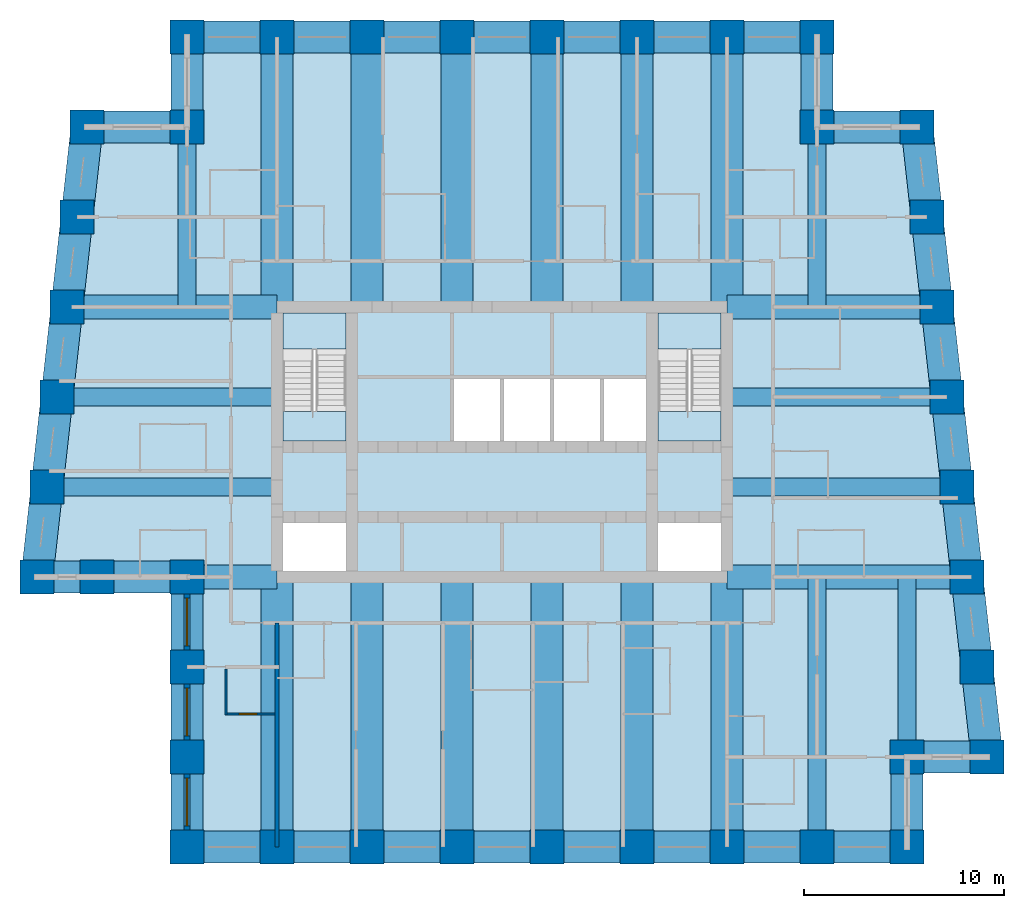
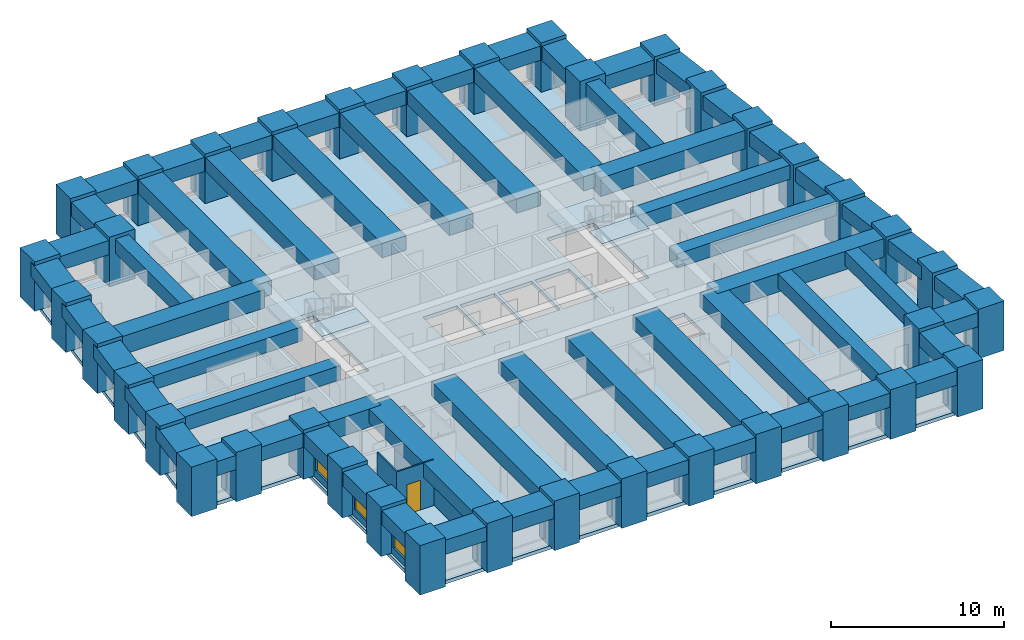
# One storey, part 1 of 8: 62 beams, 38 columns, 5 slabs, 4 walls, 3 windows, 1 door, 4 openings, 2 elements without a shape of their own.
"""IFC4 building model written with IfcOpenShell, lengths in metres."""

from ifc_helpers import new_model, si_unit, direction, frame, frame_2d, origin, origin_2d, place, context, subcontext, project, spatial, polyline, rectangle, outline, extrude, material, layer, layer_set, material_profile, profile_set, type_object, element, fill, aggregate, save


model = new_model("IFC4")

# Units and contexts
model_context = context("Model", 3, precision=1e-05, world=origin(), true_north=direction((0.0, 1.0)))
body_context = subcontext(model_context, "Body", "Model", "MODEL_VIEW")
ifc_project = project(units=[si_unit("LENGTHUNIT", "METRE"), si_unit("AREAUNIT", "SQUARE_METRE"), si_unit("VOLUMEUNIT", "CUBIC_METRE"), si_unit("PLANEANGLEUNIT", "RADIAN"), si_unit("MASSUNIT", "GRAM", prefix="KILO")], contexts=[model_context])

# Site, building, storey
site_placement = place(None, origin())
site = spatial("IfcSite", under=ifc_project, at=site_placement, CompositionType="ELEMENT")
building_placement = place(site_placement, origin())
building = spatial("IfcBuilding", under=site, at=building_placement, Name="Kilele Tower Hotel", CompositionType="ELEMENT")
storey_placement = place(building_placement, frame((0.0, 0.0, 200.89990234375)))
storey = spatial("IfcBuildingStorey", under=building, at=storey_placement, Name="L52", CompositionType="ELEMENT", Elevation=200.89990234375)

# Columns
ifc_material_1 = material(Name="Concrete C60/75", Category="concrete")
ifc_material_profile_1 = material_profile(ifc_material_1, rectangle(XDim=1.699951171875, YDim=1.699951171875, at=origin_2d()))
ifc_profile_set_1 = profile_set([ifc_material_profile_1], Name="Concrete C60/75")
column_type = type_object("IfcColumnType", Name="Tube column RC 1700x1700 C60/75", PredefinedType="COLUMN", material=ifc_profile_set_1)
for number, where, z_axis, x_axis, name in (
    (1, (1.5, 13.5, 0.0), (0.0, 0.0, 1.0), (1.0, 0.0, 0.0), "Column TC4 L52"),
    (2, (4.5, 13.5, 0.0), (0.0, 0.0, 1.0), (1.0, 0.0, 0.0), "Column TC4 L52"),
    (3, (9.0, 13.5, 0.0), (0.0, 0.0, 1.0), (1.0, 0.0, 0.0), "Column TC4 L52"),
    (4, (9.0, 9.0, 0.0), (0.0, 0.0, 1.0), (1.0, 0.0, 0.0), "Column TC4 L52"),
    (5, (9.0, 4.5, 0.0), (0.0, 0.0, 1.0), (1.0, 0.0, 0.0), "Column TC4 L52"),
    (6, (9.0, 0.0, 0.0), (0.0, 0.0, 1.0), (1.0, 0.0, 0.0), "Column TC4 L52"),
    (7, (13.5, 0.0, 0.0), (0.0, 0.0, 1.0), (1.0, 0.0, 0.0), "Column TC4 L52"),
    (8, (18.0, 0.0, 0.0), (0.0, 0.0, 1.0), (1.0, 0.0, 0.0), "Column TC4 L52"),
    (9, (22.5, 0.0, 0.0), (0.0, 0.0, 1.0), (1.0, 0.0, 0.0), "Column TC4 L52"),
    (10, (27.0, 0.0, 0.0), (0.0, 0.0, 1.0), (1.0, 0.0, 0.0), "Column TC4 L52"),
    (11, (31.5, 0.0, 0.0), (0.0, 0.0, 1.0), (1.0, 0.0, 0.0), "Column TC4 L52"),
    (12, (36.0, 0.0, 0.0), (0.0, 0.0, 1.0), (1.0, 0.0, 0.0), "Column TC4 L52"),
    (13, (40.5, 0.0, 0.0), (0.0, 0.0, 1.0), (1.0, 0.0, 0.0), "Column TC4 L52"),
    (14, (45.0, 0.0, 0.0), (0.0, 0.0, 1.0), (1.0, 0.0, 0.0), "Column TC4 L52"),
    (15, (45.0, 4.5, 0.0), (0.0, 0.0, 1.0), (1.0, 0.0, 0.0), "Column TC4 L52"),
    (16, (49.0, 4.5, 0.0), (0.0, 0.0, 1.0), (1.0, 0.0, 0.0), "Column TC4 L52"),
    (17, (48.5, 9.0, 0.0), (0.0, 0.0, 1.0), (1.0, 0.0, 0.0), "Column TC4 L52"),
    (18, (48.0, 13.5, 0.0), (0.0, 0.0, 1.0), (1.0, 0.0, 0.0), "Column TC4 L52"),
    (19, (47.5, 18.0, 0.0), (0.0, 0.0, 1.0), (1.0, 0.0, 0.0), "Column TC4 L52"),
    (20, (47.0, 22.5, 0.0), (0.0, 0.0, 1.0), (1.0, 0.0, 0.0), "Column TC4 L52"),
    (21, (46.5, 27.0, 0.0), (0.0, 0.0, 1.0), (1.0, 0.0, 0.0), "Column TC4 L52"),
    (22, (46.0, 31.5, 0.0), (0.0, 0.0, 1.0), (1.0, 0.0, 0.0), "Column TC4 L52"),
    (23, (45.5, 36.0, 0.0), (0.0, 0.0, 1.0), (1.0, 0.0, 0.0), "Column TC4 L52"),
    (24, (40.5, 36.0, 0.0), (0.0, 0.0, 1.0), (1.0, 0.0, 0.0), "Column TC4 L52"),
    (25, (40.5, 40.5, 0.0), (0.0, 0.0, 1.0), (1.0, 0.0, 0.0), "Column TC4 L52"),
    (26, (36.0, 40.5, 0.0), (0.0, 0.0, 1.0), (1.0, 0.0, 0.0), "Column TC4 L52"),
    (27, (31.5, 40.5, 0.0), (0.0, 0.0, 1.0), (1.0, 0.0, 0.0), "Column TC4 L52"),
    (28, (27.0, 40.5, 0.0), (0.0, 0.0, 1.0), (1.0, 0.0, 0.0), "Column TC4 L52"),
    (29, (22.5, 40.5, 0.0), (0.0, 0.0, 1.0), (1.0, 0.0, 0.0), "Column TC4 L52"),
    (30, (18.0, 40.5, 0.0), (0.0, 0.0, 1.0), (1.0, 0.0, 0.0), "Column TC4 L52"),
    (31, (13.5, 40.5, 0.0), (0.0, 0.0, 1.0), (1.0, 0.0, 0.0), "Column TC4 L52"),
    (32, (9.0, 40.5, 0.0), (0.0, 0.0, 1.0), (1.0, 0.0, 0.0), "Column TC4 L52"),
    (33, (9.0, 36.0, 0.0), (0.0, 0.0, 1.0), (1.0, 0.0, 0.0), "Column TC4 L52"),
    (34, (4.0, 36.0, 0.0), (0.0, 0.0, 1.0), (1.0, 0.0, 0.0), "Column TC4 L52"),
    (35, (3.5, 31.5, 0.0), (0.0, 0.0, 1.0), (1.0, 0.0, 0.0), "Column TC4 L52"),
    (36, (3.0, 27.0, 0.0), (0.0, 0.0, 1.0), (1.0, 0.0, 0.0), "Column TC4 L52"),
    (37, (2.5, 22.5, 0.0), (0.0, 0.0, 1.0), (1.0, 0.0, 0.0), "Column TC4 L52"),
    (38, (2.0, 18.0, 0.0), (0.0, 0.0, 1.0), (1.0, 0.0, 0.0), "Column TC4 L52"),
):
    element("IfcColumn", number, at=place(storey_placement, frame(where, z_axis=z_axis, x_axis=x_axis)), inside=storey, type_object=column_type, Name=name, PredefinedType="COLUMN", context=body_context, shape_type="SweptSolid", body=[
        extrude(rectangle(XDim=1.699951171875, YDim=1.699951171875, at=origin_2d()), origin(), (0.0, 0.0, 1.0), 3.5),
    ])

# Beams
ifc_material_2 = material(Name="Concrete C60/75", Category="concrete")
ifc_material_profile_2 = material_profile(ifc_material_2, rectangle(XDim=1.60009765625, YDim=1.0, at=origin_2d()))
ifc_profile_set_2 = profile_set([ifc_material_profile_2], Name="Concrete C60/75")
beam_type_1 = type_object("IfcBeamType", Name="Beam RC 1600x1000 C60/75", PredefinedType="BEAM", material=ifc_profile_set_2)
for number, where, z_axis, x_axis, name in (
    (39, (13.5, 0.0, 2.75), (0.0, 1.0, 0.0), (-1.0, 0.0, 0.0), "Beam BC1 level L53"),
    (40, (18.0, 0.0, 2.75), (0.0, 1.0, 0.0), (-1.0, 0.0, 0.0), "Beam BC1 level L53"),
    (41, (22.5, 0.0, 2.75), (0.0, 1.0, 0.0), (-1.0, 0.0, 0.0), "Beam BC1 level L53"),
    (42, (27.0, 0.0, 2.75), (0.0, 1.0, 0.0), (-1.0, 0.0, 0.0), "Beam BC1 level L53"),
    (43, (31.5, 0.0, 2.75), (0.0, 1.0, 0.0), (-1.0, 0.0, 0.0), "Beam BC1 level L53"),
    (44, (36.0, 0.0, 2.75), (0.0, 1.0, 0.0), (-1.0, 0.0, 0.0), "Beam BC1 level L53"),
    (45, (36.0, 40.5, 2.75), (0.0, -1.0, 0.0), (1.0, 0.0, 0.0), "Beam BC1 level L53"),
    (46, (31.5, 40.5, 2.75), (0.0, -1.0, 0.0), (1.0, 0.0, 0.0), "Beam BC1 level L53"),
    (47, (27.0, 40.5, 2.75), (0.0, -1.0, 0.0), (1.0, 0.0, 0.0), "Beam BC1 level L53"),
    (48, (22.5, 40.5, 2.75), (0.0, -1.0, 0.0), (1.0, 0.0, 0.0), "Beam BC1 level L53"),
    (49, (18.0, 40.5, 2.75), (0.0, -1.0, 0.0), (1.0, 0.0, 0.0), "Beam BC1 level L53"),
    (50, (13.5, 40.5, 2.75), (0.0, -1.0, 0.0), (1.0, 0.0, 0.0), "Beam BC1 level L53"),
):
    element("IfcBeam", number, at=place(storey_placement, frame(where, z_axis=z_axis, x_axis=x_axis)), inside=storey, type_object=beam_type_1, Name=name, PredefinedType="BEAM", context=body_context, shape_type="SweptSolid", body=[
        extrude(rectangle(XDim=1.60009765625, YDim=1.0, at=origin_2d()), origin(), (0.0, 0.0, 1.0), 13.5),
    ])
ifc_material_3 = material(Name="Concrete C60/75", Category="concrete")
ifc_material_profile_3 = material_profile(ifc_material_3, rectangle(XDim=0.89990234375, YDim=1.0, at=origin_2d()))
ifc_profile_set_3 = profile_set([ifc_material_profile_3], Name="Concrete C60/75")
beam_type_2 = type_object("IfcBeamType", Name="Beam RC 900x1000 C60/75", PredefinedType="BEAM", material=ifc_profile_set_3)
beam_1_placement = place(storey_placement, frame((40.5, 0.0, 2.75), z_axis=(0.0, 1.0, 0.0), x_axis=(-1.0, 0.0, 0.0)))
element("IfcBeam", 51, at=beam_1_placement, inside=storey, type_object=beam_type_2, Name="Beam B8 level L53", PredefinedType="BEAM", context=body_context, shape_type="SweptSolid", body=[
    extrude(rectangle(XDim=0.89990234375, YDim=1.0, at=origin_2d()), origin(), (0.0, 0.0, 1.0), 13.5),
])
beam_2_placement = place(storey_placement, frame((45.0, 4.5, 2.75), z_axis=(0.0, 1.0, 0.0), x_axis=(-1.0, 0.0, 0.0)))
element("IfcBeam", 52, at=beam_2_placement, inside=storey, type_object=beam_type_2, Name="Beam B8 level L53", PredefinedType="BEAM", context=body_context, shape_type="SweptSolid", body=[
    extrude(rectangle(XDim=0.89990234375, YDim=1.0, at=origin_2d()), origin(), (0.0, 0.0, 1.0), 9.0),
])
beam_3_placement = place(storey_placement, frame((47.5, 18.0, 2.75), z_axis=(-1.0, 0.0, 0.0), x_axis=(0.0, -1.0, 0.0)))
element("IfcBeam", 53, at=beam_3_placement, inside=storey, type_object=beam_type_2, Name="Beam B8 level L53", PredefinedType="BEAM", context=body_context, shape_type="SweptSolid", body=[
    extrude(rectangle(XDim=0.89990234375, YDim=1.0, at=origin_2d()), origin(), (0.0, 0.0, 1.0), 11.5),
])
beam_4_placement = place(storey_placement, frame((47.0, 22.5, 2.75), z_axis=(-1.0, 0.0, 0.0), x_axis=(0.0, -1.0, 0.0)))
element("IfcBeam", 54, at=beam_4_placement, inside=storey, type_object=beam_type_2, Name="Beam B8 level L53", PredefinedType="BEAM", context=body_context, shape_type="SweptSolid", body=[
    extrude(rectangle(XDim=0.89990234375, YDim=1.0, at=origin_2d()), origin(), (0.0, 0.0, 1.0), 11.0),
])
for number, where, z_axis, x_axis, name in (
    (55, (40.5, 36.0, 2.75), (0.0, -1.0, 0.0), (1.0, 0.0, 0.0), "Beam B8 level L53"),
    (56, (9.0, 36.0, 2.75), (0.0, -1.0, 0.0), (1.0, 0.0, 0.0), "Beam B8 level L53"),
):
    element("IfcBeam", number, at=place(storey_placement, frame(where, z_axis=z_axis, x_axis=x_axis)), inside=storey, type_object=beam_type_2, Name=name, PredefinedType="BEAM", context=body_context, shape_type="SweptSolid", body=[
        extrude(rectangle(XDim=0.89990234375, YDim=1.0, at=origin_2d()), origin(), (0.0, 0.0, 1.0), 9.0),
    ])
beam_5_placement = place(storey_placement, frame((2.5, 22.5, 2.75), z_axis=(1.0, 0.0, 0.0), x_axis=(0.0, 1.0, 0.0)))
element("IfcBeam", 57, at=beam_5_placement, inside=storey, type_object=beam_type_2, Name="Beam B8 level L53", PredefinedType="BEAM", context=body_context, shape_type="SweptSolid", body=[
    extrude(rectangle(XDim=0.89990234375, YDim=1.0, at=origin_2d()), origin(), (0.0, 0.0, 1.0), 11.0),
])
beam_6_placement = place(storey_placement, frame((2.0, 18.0, 2.75), z_axis=(1.0, 0.0, 0.0), x_axis=(0.0, 1.0, 0.0)))
element("IfcBeam", 58, at=beam_6_placement, inside=storey, type_object=beam_type_2, Name="Beam B8 level L53", PredefinedType="BEAM", context=body_context, shape_type="SweptSolid", body=[
    extrude(rectangle(XDim=0.89990234375, YDim=1.0, at=origin_2d()), origin(), (0.0, 0.0, 1.0), 11.5),
])
ifc_material_4 = material(Name="Concrete C60/75", Category="concrete")
ifc_material_profile_4 = material_profile(ifc_material_4, rectangle(XDim=1.199951171875, YDim=1.300048828125, at=origin_2d()))
ifc_profile_set_4 = profile_set([ifc_material_profile_4], Name="Concrete C60/75")
beam_type_3 = type_object("IfcBeamType", Name="Girder RC 1200x1300 C60/75", PredefinedType="BEAM", material=ifc_profile_set_4)
beam_7_placement = place(storey_placement, frame((48.0, 13.5, 2.60009765625), z_axis=(-1.0, 0.0, 0.0), x_axis=(0.0, -1.0, 0.0)))
element("IfcBeam", 59, at=beam_7_placement, inside=storey, type_object=beam_type_3, Name="Girder G1 level L53", PredefinedType="BEAM", context=body_context, shape_type="SweptSolid", body=[
    extrude(rectangle(XDim=1.199951171875, YDim=1.300048828125, at=origin_2d()), origin(), (0.0, 0.0, 1.0), 12.0),
])
ifc_material_5 = material(Name="Concrete C60/75", Category="concrete")
ifc_material_profile_5 = material_profile(ifc_material_5, rectangle(XDim=1.199951171875, YDim=1.300048828125, at=origin_2d()))
ifc_profile_set_5 = profile_set([ifc_material_profile_5], Name="Concrete C60/75")
beam_type_4 = type_object("IfcBeamType", Name="Girder RC 1200x1300 C60/75 mid span", PredefinedType="BEAM", material=ifc_profile_set_5)
for number, where, z_axis, x_axis, name in (
    (60, (46.5, 27.0, 2.60009765625), (-1.0, 0.0, 0.0), (0.0, -1.0, 0.0), "Girder G3 level L53"),
    (61, (3.0, 27.0, 2.60009765625), (1.0, 0.0, 0.0), (0.0, 1.0, 0.0), "Girder G3 level L53"),
):
    element("IfcBeam", number, at=place(storey_placement, frame(where, z_axis=z_axis, x_axis=x_axis)), inside=storey, type_object=beam_type_4, Name=name, PredefinedType="BEAM", context=body_context, shape_type="SweptSolid", body=[
        extrude(rectangle(XDim=1.199951171875, YDim=1.300048828125, at=origin_2d()), origin(), (0.0, 0.0, 1.0), 10.5),
    ])
ifc_material_6 = material(Name="Concrete C60/75", Category="concrete")
ifc_material_profile_6 = material_profile(ifc_material_6, rectangle(XDim=1.199951171875, YDim=1.300048828125, at=origin_2d()))
ifc_profile_set_6 = profile_set([ifc_material_profile_6], Name="Concrete C60/75")
beam_type_5 = type_object("IfcBeamType", Name="Girder RC 1200x1300 C60/75 short span", PredefinedType="BEAM", material=ifc_profile_set_6)
beam_8_placement = place(storey_placement, frame((9.0, 13.5, 2.60009765625), z_axis=(1.0, 0.0, 0.0), x_axis=(0.0, 1.0, 0.0)))
element("IfcBeam", 62, at=beam_8_placement, inside=storey, type_object=beam_type_5, Name="Girder G5 level L53", PredefinedType="BEAM", context=body_context, shape_type="SweptSolid", body=[
    extrude(rectangle(XDim=1.199951171875, YDim=1.300048828125, at=origin_2d()), origin(), (0.0, 0.0, 1.0), 4.5),
])
ifc_material_7 = material(Name="Concrete C60/75", Category="concrete")
ifc_material_profile_7 = material_profile(ifc_material_7, rectangle(XDim=1.60009765625, YDim=1.0, at=origin_2d()))
ifc_profile_set_7 = profile_set([ifc_material_profile_7], Name="Concrete C60/75")
beam_type_6 = type_object("IfcBeamType", Name="Spandrel RC 1600x1000 C60/75", PredefinedType="SPANDREL", material=ifc_profile_set_7)
beam_9_placement = place(storey_placement, frame((1.5, 13.5, 2.75), z_axis=(1.0, 0.0, 0.0), x_axis=(0.0, 1.0, 0.0)))
element("IfcBeam", 63, at=beam_9_placement, inside=storey, type_object=beam_type_6, Name="Spandrel SP2 level L53", PredefinedType="SPANDREL", context=body_context, shape_type="SweptSolid", body=[
    extrude(rectangle(XDim=1.60009765625, YDim=1.0, at=origin_2d()), origin(), (0.0, 0.0, 1.0), 3.0),
])
for number, where, z_axis, x_axis, name in (
    (64, (4.5, 13.5, 2.75), (1.0, 0.0, 0.0), (0.0, 1.0, 0.0), "Spandrel SP2 level L53"),
    (65, (9.0, 13.5, 2.75), (0.0, -1.0, 0.0), (1.0, 0.0, 0.0), "Spandrel SP2 level L53"),
    (66, (9.0, 9.0, 2.75), (0.0, -1.0, 0.0), (1.0, 0.0, 0.0), "Spandrel SP2 level L53"),
    (67, (9.0, 4.5, 2.75), (0.0, -1.0, 0.0), (1.0, 0.0, 0.0), "Spandrel SP2 level L53"),
    (68, (9.0, 0.0, 2.75), (1.0, 0.0, 0.0), (0.0, 1.0, 0.0), "Spandrel SP2 level L53"),
    (69, (13.5, 0.0, 2.75), (1.0, 0.0, 0.0), (0.0, 1.0, 0.0), "Spandrel SP2 level L53"),
    (70, (18.0, 0.0, 2.75), (1.0, 0.0, 0.0), (0.0, 1.0, 0.0), "Spandrel SP2 level L53"),
    (71, (22.5, 0.0, 2.75), (1.0, 0.0, 0.0), (0.0, 1.0, 0.0), "Spandrel SP2 level L53"),
    (72, (27.0, 0.0, 2.75), (1.0, 0.0, 0.0), (0.0, 1.0, 0.0), "Spandrel SP2 level L53"),
    (73, (31.5, 0.0, 2.75), (1.0, 0.0, 0.0), (0.0, 1.0, 0.0), "Spandrel SP2 level L53"),
    (74, (36.0, 0.0, 2.75), (1.0, 0.0, 0.0), (0.0, 1.0, 0.0), "Spandrel SP2 level L53"),
    (75, (40.5, 0.0, 2.75), (1.0, 0.0, 0.0), (0.0, 1.0, 0.0), "Spandrel SP2 level L53"),
    (76, (45.0, 0.0, 2.75), (0.0, 1.0, 0.0), (-1.0, 0.0, 0.0), "Spandrel SP2 level L53"),
):
    element("IfcBeam", number, at=place(storey_placement, frame(where, z_axis=z_axis, x_axis=x_axis)), inside=storey, type_object=beam_type_6, Name=name, PredefinedType="SPANDREL", context=body_context, shape_type="SweptSolid", body=[
        extrude(rectangle(XDim=1.60009765625, YDim=1.0, at=origin_2d()), origin(), (0.0, 0.0, 1.0), 4.5),
    ])
beam_10_placement = place(storey_placement, frame((45.0, 4.5, 2.75), z_axis=(1.0, 0.0, 0.0), x_axis=(0.0, 1.0, 0.0)))
element("IfcBeam", 77, at=beam_10_placement, inside=storey, type_object=beam_type_6, Name="Spandrel SP2 level L53", PredefinedType="SPANDREL", context=body_context, shape_type="SweptSolid", body=[
    extrude(rectangle(XDim=1.60009765625, YDim=1.0, at=origin_2d()), origin(), (0.0, 0.0, 1.0), 4.0),
])
for number, where, z_axis, x_axis, name in (
    (78, (49.0, 4.5, 2.75), (-0.110431526075, 0.993883734674, 0.0), (-0.993883734674, -0.110431526075, 0.0), "Spandrel SP2 level L53"),
    (79, (48.5, 9.0, 2.75), (-0.110431526075, 0.993883734674, 0.0), (-0.993883734674, -0.110431526075, 0.0), "Spandrel SP2 level L53"),
    (80, (48.0, 13.5, 2.75), (-0.110431526075, 0.993883734674, 0.0), (-0.993883734674, -0.110431526075, 0.0), "Spandrel SP2 level L53"),
    (81, (47.5, 18.0, 2.75), (-0.110431526075, 0.993883734674, 0.0), (-0.993883734674, -0.110431526075, 0.0), "Spandrel SP2 level L53"),
    (82, (47.0, 22.5, 2.75), (-0.110431526075, 0.993883734674, 0.0), (-0.993883734674, -0.110431526075, 0.0), "Spandrel SP2 level L53"),
    (83, (46.5, 27.0, 2.75), (-0.110431526075, 0.993883734674, 0.0), (-0.993883734674, -0.110431526075, 0.0), "Spandrel SP2 level L53"),
    (84, (46.0, 31.5, 2.75), (-0.110431526075, 0.993883734674, 0.0), (-0.993883734674, -0.110431526075, 0.0), "Spandrel SP2 level L53"),
):
    element("IfcBeam", number, at=place(storey_placement, frame(where, z_axis=z_axis, x_axis=x_axis)), inside=storey, type_object=beam_type_6, Name=name, PredefinedType="SPANDREL", context=body_context, shape_type="SweptSolid", body=[
        extrude(rectangle(XDim=1.60009765625, YDim=1.0, at=origin_2d()), origin(), (0.0, 0.0, 1.0), 4.527587890625),
    ])
beam_11_placement = place(storey_placement, frame((45.5, 36.0, 2.75), z_axis=(-1.0, 0.0, 0.0), x_axis=(0.0, -1.0, 0.0)))
element("IfcBeam", 85, at=beam_11_placement, inside=storey, type_object=beam_type_6, Name="Spandrel SP2 level L53", PredefinedType="SPANDREL", context=body_context, shape_type="SweptSolid", body=[
    extrude(rectangle(XDim=1.60009765625, YDim=1.0, at=origin_2d()), origin(), (0.0, 0.0, 1.0), 5.0),
])
for number, where, z_axis, x_axis, name in (
    (86, (40.5, 36.0, 2.75), (0.0, 1.0, 0.0), (-1.0, 0.0, 0.0), "Spandrel SP2 level L53"),
    (87, (40.5, 40.5, 2.75), (-1.0, 0.0, 0.0), (0.0, -1.0, 0.0), "Spandrel SP2 level L53"),
    (88, (36.0, 40.5, 2.75), (-1.0, 0.0, 0.0), (0.0, -1.0, 0.0), "Spandrel SP2 level L53"),
    (89, (31.5, 40.5, 2.75), (-1.0, 0.0, 0.0), (0.0, -1.0, 0.0), "Spandrel SP2 level L53"),
    (90, (27.0, 40.5, 2.75), (-1.0, 0.0, 0.0), (0.0, -1.0, 0.0), "Spandrel SP2 level L53"),
    (91, (22.5, 40.5, 2.75), (-1.0, 0.0, 0.0), (0.0, -1.0, 0.0), "Spandrel SP2 level L53"),
    (92, (18.0, 40.5, 2.75), (-1.0, 0.0, 0.0), (0.0, -1.0, 0.0), "Spandrel SP2 level L53"),
    (93, (13.5, 40.5, 2.75), (-1.0, 0.0, 0.0), (0.0, -1.0, 0.0), "Spandrel SP2 level L53"),
    (94, (9.0, 40.5, 2.75), (0.0, -1.0, 0.0), (1.0, 0.0, 0.0), "Spandrel SP2 level L53"),
):
    element("IfcBeam", number, at=place(storey_placement, frame(where, z_axis=z_axis, x_axis=x_axis)), inside=storey, type_object=beam_type_6, Name=name, PredefinedType="SPANDREL", context=body_context, shape_type="SweptSolid", body=[
        extrude(rectangle(XDim=1.60009765625, YDim=1.0, at=origin_2d()), origin(), (0.0, 0.0, 1.0), 4.5),
    ])
beam_12_placement = place(storey_placement, frame((9.0, 36.0, 2.75), z_axis=(-1.0, 0.0, 0.0), x_axis=(0.0, -1.0, 0.0)))
element("IfcBeam", 95, at=beam_12_placement, inside=storey, type_object=beam_type_6, Name="Spandrel SP2 level L53", PredefinedType="SPANDREL", context=body_context, shape_type="SweptSolid", body=[
    extrude(rectangle(XDim=1.60009765625, YDim=1.0, at=origin_2d()), origin(), (0.0, 0.0, 1.0), 5.0),
])
for number, where, z_axis, x_axis, name in (
    (96, (4.0, 36.0, 2.75), (-0.110431526075, -0.993883734674, 0.0), (0.993883734674, -0.110431526075, 0.0), "Spandrel SP2 level L53"),
    (97, (3.5, 31.5, 2.75), (-0.110431526075, -0.993883734674, 0.0), (0.993883734674, -0.110431526075, 0.0), "Spandrel SP2 level L53"),
    (98, (3.0, 27.0, 2.75), (-0.110431526075, -0.993883734674, 0.0), (0.993883734674, -0.110431526075, 0.0), "Spandrel SP2 level L53"),
    (99, (2.5, 22.5, 2.75), (-0.110431526075, -0.993883734674, 0.0), (0.993883734674, -0.110431526075, 0.0), "Spandrel SP2 level L53"),
    (100, (2.0, 18.0, 2.75), (-0.110431526075, -0.993883734674, 0.0), (0.993883734674, -0.110431526075, 0.0), "Spandrel SP2 level L53"),
):
    element("IfcBeam", number, at=place(storey_placement, frame(where, z_axis=z_axis, x_axis=x_axis)), inside=storey, type_object=beam_type_6, Name=name, PredefinedType="SPANDREL", context=body_context, shape_type="SweptSolid", body=[
        extrude(rectangle(XDim=1.60009765625, YDim=1.0, at=origin_2d()), origin(), (0.0, 0.0, 1.0), 4.527587890625),
    ])

# Slab
ifc_material_8 = material(Name="Concrete C60/75", Category="concrete")
ifc_layer_1 = layer(ifc_material_8, 0.25)
ifc_layer_set_1 = layer_set([ifc_layer_1], Name="Concrete C60/75")
slab_type_1 = type_object("IfcSlabType", Name="Floor slab 250", PredefinedType="FLOOR", material=ifc_layer_set_1)
slab_1_placement = place(storey_placement, frame((0.0, 0.0, -0.25)))
element("IfcSlab", 101, at=slab_1_placement, inside=storey, type_object=slab_type_1, Name="Floor slab L52", PredefinedType="FLOOR", context=body_context, shape_type="SweptSolid", body=[
    extrude(outline(polyline([(8.699951171875, 36.300048828125), (8.699951171875, 40.800048828125), (40.800048828125, 40.800048828125), (40.800048828125, 36.300048828125), (45.7685546875, 36.300048828125), (49.335205078125, 4.199951171875), (45.300048828125, 4.199951171875), (45.300048828125, -0.300048828125), (8.699951171875, -0.300048828125), (8.699951171875, 13.199951171875), (1.164794921875, 13.199951171875), (3.7314453125, 36.300048828125), (8.699951171875, 36.300048828125)]), holes=[polyline([(16.949951171875, 16.199951171875), (13.800048828125, 16.199951171875), (13.800048828125, 13.800048828125), (16.949951171875, 13.800048828125), (16.949951171875, 16.199951171875)]), polyline([(35.699951171875, 16.199951171875), (32.550048828125, 16.199951171875), (32.550048828125, 13.800048828125), (35.699951171875, 13.800048828125), (35.699951171875, 16.199951171875)]), polyline([(24.64990234375, 23.39990234375), (22.35009765625, 23.39990234375), (22.35009765625, 20.10009765625), (24.64990234375, 20.10009765625), (24.64990234375, 23.39990234375)]), polyline([(27.14990234375, 23.39990234375), (24.85009765625, 23.39990234375), (24.85009765625, 20.10009765625), (27.14990234375, 20.10009765625), (27.14990234375, 23.39990234375)]), polyline([(29.64990234375, 23.39990234375), (27.35009765625, 23.39990234375), (27.35009765625, 20.10009765625), (29.64990234375, 20.10009765625), (29.64990234375, 23.39990234375)]), polyline([(32.14990234375, 23.39990234375), (29.85009765625, 23.39990234375), (29.85009765625, 20.10009765625), (32.14990234375, 20.10009765625), (32.14990234375, 23.39990234375)]), polyline([(16.949951171875, 26.699951171875), (13.800048828125, 26.699951171875), (13.800048828125, 20.300048828125), (16.949951171875, 20.300048828125), (16.949951171875, 26.699951171875)]), polyline([(35.699951171875, 26.699951171875), (32.550048828125, 26.699951171875), (32.550048828125, 20.300048828125), (35.699951171875, 20.300048828125), (35.699951171875, 26.699951171875)])]), origin(), (0.0, 0.0, 1.0), 0.25),
])

# Stair, slabs
ifc_material_9 = material(Name="Precast concrete C40/50", Category="concrete")
stair_type = type_object("IfcStairType", Name="Stair 1475 x 3500", PredefinedType="HALF_TURN_STAIR", material=ifc_material_9)
stair_1_placement = place(storey_placement, origin())
stair_1 = element("IfcStair", 102, at=stair_1_placement, inside=storey, type_object=stair_type, Name="Stair 1 L52", PredefinedType="HALF_TURN_STAIR")
ifc_material_10 = material(Name="Precast concrete C40/50", Category="concrete")
ifc_layer_2 = layer(ifc_material_10, 0.199951171875)
ifc_layer_set_2 = layer_set([ifc_layer_2], Name="Precast concrete C40/50")
slab_type_2 = type_object("IfcSlabType", Name="Stair landing 200", PredefinedType="LANDING", material=ifc_layer_set_2)
slab_2_placement = place(storey_placement, frame((0.0, 0.0, 1.550048828125)))
slab_2 = element("IfcSlab", 103, at=slab_2_placement, type_object=slab_type_2, Name="ST1 landing 1", PredefinedType="LANDING", context=body_context, shape_type="SweptSolid", body=[
    extrude(outline(polyline([(13.800048828125, 24.89501953125), (16.949951171875, 24.89501953125), (16.949951171875, 26.699951171875), (13.800048828125, 26.699951171875), (13.800048828125, 24.89501953125)])), origin(), (0.0, 0.0, 1.0), 0.199951171875),
])
slab_3_placement = place(storey_placement, frame((0.0, 0.0, 3.300048828125)))
slab_3 = element("IfcSlab", 104, at=slab_3_placement, type_object=slab_type_2, Name="ST1 landing 2", PredefinedType="LANDING", context=body_context, shape_type="SweptSolid", body=[
    extrude(outline(polyline([(13.800048828125, 20.300048828125), (16.949951171875, 20.300048828125), (16.949951171875, 21.77490234375), (13.800048828125, 21.77490234375), (13.800048828125, 20.300048828125)])), origin(), (0.0, 0.0, 1.0), 0.199951171875),
])
aggregate(stair_1, [slab_2, slab_3])

stair_2_placement = place(storey_placement, origin())
stair_2 = element("IfcStair", 105, at=stair_2_placement, inside=storey, type_object=stair_type, Name="Stair 2 L52", PredefinedType="HALF_TURN_STAIR")
slab_4_placement = place(storey_placement, frame((0.0, 0.0, 1.550048828125)))
slab_4 = element("IfcSlab", 106, at=slab_4_placement, type_object=slab_type_2, Name="ST2 landing 1", PredefinedType="LANDING", context=body_context, shape_type="SweptSolid", body=[
    extrude(outline(polyline([(32.550048828125, 24.89501953125), (35.699951171875, 24.89501953125), (35.699951171875, 26.699951171875), (32.550048828125, 26.699951171875), (32.550048828125, 24.89501953125)])), origin(), (0.0, 0.0, 1.0), 0.199951171875),
])
slab_5_placement = place(storey_placement, frame((0.0, 0.0, 3.300048828125)))
slab_5 = element("IfcSlab", 107, at=slab_5_placement, type_object=slab_type_2, Name="ST2 landing 2", PredefinedType="LANDING", context=body_context, shape_type="SweptSolid", body=[
    extrude(outline(polyline([(32.550048828125, 20.300048828125), (35.699951171875, 20.300048828125), (35.699951171875, 21.77490234375), (32.550048828125, 21.77490234375), (32.550048828125, 20.300048828125)])), origin(), (0.0, 0.0, 1.0), 0.199951171875),
])
aggregate(stair_2, [slab_4, slab_5])

# Wall
ifc_material_11 = material(Name="Moisture-resistant board")
ifc_layer_3 = layer(ifc_material_11, 0.10009765625)
ifc_layer_set_3 = layer_set([ifc_layer_3], Name="Moisture-resistant board")
wall_type_1 = type_object("IfcWallType", Name="Bathroom partition 100", PredefinedType="PLUMBINGWALL", material=ifc_layer_set_3)
wall_1_placement = place(storey_placement, frame((10.949951171875, 8.89990234375, 0.0), z_axis=(0.0, 0.0, 1.0), x_axis=(0.0, -1.0, 0.0)))
element("IfcWall", 108, at=wall_1_placement, inside=storey, type_object=wall_type_1, Name="Bathroom partition 100 L52", PredefinedType="PLUMBINGWALL", context=body_context, shape_type="SweptSolid", body=[
    extrude(rectangle(XDim=2.2998046875, YDim=0.10009765625, at=frame_2d((1.14990234375, 0.0))), origin(), (0.0, 0.0, 1.0), 3.25),
])

# Wall, opening, door
wall_2_placement = place(storey_placement, frame((13.39990234375, 6.64990234375, 0.0), z_axis=(0.0, 0.0, 1.0), x_axis=(-1.0, 0.0, 0.0)))
wall_2 = element("IfcWall", 109, at=wall_2_placement, inside=storey, type_object=wall_type_1, Name="Bathroom partition 100 L52", PredefinedType="PLUMBINGWALL", context=body_context, shape_type="SweptSolid", body=[
    extrude(rectangle(XDim=2.5, YDim=0.10009765625, at=frame_2d((1.25, 0.0))), origin(), (0.0, 0.0, 1.0), 3.25),
])
opening_1_placement = place(wall_2_placement, frame((0.89990234375, 0.0, 0.0)))
opening_1 = element("IfcOpeningElement", 110, at=opening_1_placement, cuts=wall_2, Name="Opening D2A", PredefinedType="OPENING", context=body_context, shape_type="SweptSolid", body=[
    extrude(rectangle(XDim=0.89990234375, YDim=2.10009765625, at=frame_2d((0.449951171875, 1.050048828125))), frame((0.0, 0.06005859375, 0.0), z_axis=(0.0, -1.0, 0.0), x_axis=(1.0, 0.0, 0.0)), (0.0, 0.0, 1.0), 0.1201171875),
])
ifc_material_12 = material(Name="Timber door leaf in hardwood frame", Category="wood")
door_type = type_object("IfcDoorType", Name="Bathroom door 900", OperationType="SINGLE_SWING_LEFT", PredefinedType="DOOR", material=ifc_material_12)
door_placement = place(opening_1_placement, origin())
door = element("IfcDoor", 111, at=door_placement, inside=storey, type_object=door_type, Name="Bathroom door 5218B", OperationType="SINGLE_SWING_LEFT", OverallHeight=2.10009765625, OverallWidth=0.89990234375, PredefinedType="DOOR", context=body_context, shape_type="SweptSolid", body=[
    extrude(rectangle(XDim=0.89990234375, YDim=2.10009765625, at=frame_2d((0.449951171875, 1.050048828125))), frame((0.0, 0.02490234375, 0.0), z_axis=(0.0, -1.0, 0.0), x_axis=(1.0, 0.0, 0.0)), (0.0, 0.0, 1.0), 0.050048828125),
])
fill(opening_1, door)

# Wall
ifc_material_13 = material(Name="Blockwork, plastered both sides", Category="masonry")
ifc_layer_4 = layer(ifc_material_13, 0.199951171875)
ifc_layer_set_4 = layer_set([ifc_layer_4], Name="Blockwork, plastered both sides")
wall_type_2 = type_object("IfcWallType", Name="Party wall 200", PredefinedType="PARTITIONING", material=ifc_layer_set_4)
wall_3_placement = place(storey_placement, frame((13.5, 11.199951171875, 0.0), z_axis=(0.0, 0.0, 1.0), x_axis=(0.0, -1.0, 0.0)))
element("IfcWall", 112, at=wall_3_placement, inside=storey, type_object=wall_type_2, Name="Party wall 200 L52", PredefinedType="PARTITIONING", context=body_context, shape_type="SweptSolid", body=[
    extrude(rectangle(XDim=11.199951171875, YDim=0.199951171875, at=frame_2d((5.60009765625, 0.0))), origin(), (0.0, 0.0, 1.0), 2.25),
])

# Wall, openings, windows
ifc_material_14 = material(Name="Concrete C40/50 precast", Category="concrete")
ifc_layer_5 = layer(ifc_material_14, 0.260009765625, Name="Precast backing", Category="LoadBearing")
ifc_material_15 = material(Name="Reconstituted stone finish", Category="masonry")
ifc_layer_6 = layer(ifc_material_15, 0.0400390625, Name="Face mix", Category="Finish")
ifc_layer_set_5 = layer_set([ifc_layer_5, ifc_layer_6], Name="Precast concrete C40/50, reconstituted stone finish")
wall_type_3 = type_object("IfcWallType", Name="Precast stone facade wall 300", PredefinedType="STANDARD", material=ifc_layer_set_5)
wall_4_placement = place(storey_placement, frame((9.0, 13.64990234375, 0.0), z_axis=(0.0, 0.0, 1.0), x_axis=(0.0, -1.0, 0.0)))
wall_4 = element("IfcWall", 113, at=wall_4_placement, inside=storey, type_object=wall_type_3, Name="Facade wall L52 edge 2", PredefinedType="STANDARD", context=body_context, shape_type="SweptSolid", body=[
    extrude(rectangle(XDim=13.7998046875, YDim=0.300048828125, at=frame_2d((6.89990234375, 0.0))), origin(), (0.0, 0.0, 1.0), 2.25),
])
opening_2_placement = place(wall_4_placement, frame((1.199951171875, 0.0, 0.5)))
opening_2 = element("IfcOpeningElement", 114, at=opening_2_placement, cuts=wall_4, Name="Opening W3", PredefinedType="OPENING", context=body_context, shape_type="SweptSolid", body=[
    extrude(rectangle(XDim=2.39990234375, YDim=1.60009765625, at=frame_2d((1.199951171875, 0.800048828125))), frame((0.0, 0.159912109375, 0.0), z_axis=(0.0, -1.0, 0.0), x_axis=(1.0, 0.0, 0.0)), (0.0, 0.0, 1.0), 0.320068359375),
])
opening_3_placement = place(wall_4_placement, frame((5.699951171875, 0.0, 0.5)))
opening_3 = element("IfcOpeningElement", 115, at=opening_3_placement, cuts=wall_4, Name="Opening W3", PredefinedType="OPENING", context=body_context, shape_type="SweptSolid", body=[
    extrude(rectangle(XDim=2.39990234375, YDim=1.60009765625, at=frame_2d((1.199951171875, 0.800048828125))), frame((0.0, 0.159912109375, 0.0), z_axis=(0.0, -1.0, 0.0), x_axis=(1.0, 0.0, 0.0)), (0.0, 0.0, 1.0), 0.320068359375),
])
opening_4_placement = place(wall_4_placement, frame((10.199951171875, 0.0, 0.5)))
opening_4 = element("IfcOpeningElement", 116, at=opening_4_placement, cuts=wall_4, Name="Opening W3", PredefinedType="OPENING", context=body_context, shape_type="SweptSolid", body=[
    extrude(rectangle(XDim=2.39990234375, YDim=1.60009765625, at=frame_2d((1.199951171875, 0.800048828125))), frame((0.0, 0.159912109375, 0.0), z_axis=(0.0, -1.0, 0.0), x_axis=(1.0, 0.0, 0.0)), (0.0, 0.0, 1.0), 0.320068359375),
])
ifc_material_16 = material(Name="Aluminium frame, clear double glazing", Category="aluminium")
window_type = type_object("IfcWindowType", Name="Window W3 2400 x 1600", PartitioningType="SINGLE_PANEL", PredefinedType="WINDOW", material=ifc_material_16)
window_1_placement = place(opening_2_placement, origin())
window_1 = element("IfcWindow", 117, at=window_1_placement, inside=storey, type_object=window_type, Name="Window L52", OverallHeight=1.60009765625, OverallWidth=2.39990234375, PartitioningType="SINGLE_PANEL", PredefinedType="WINDOW", context=body_context, shape_type="SweptSolid", body=[
    extrude(rectangle(XDim=2.39990234375, YDim=1.60009765625, at=frame_2d((1.199951171875, 0.800048828125))), frame((0.0, 0.030029296875, 0.0), z_axis=(0.0, -1.0, 0.0), x_axis=(1.0, 0.0, 0.0)), (0.0, 0.0, 1.0), 0.06005859375),
])
fill(opening_2, window_1)
window_2_placement = place(opening_3_placement, origin())
window_2 = element("IfcWindow", 118, at=window_2_placement, inside=storey, type_object=window_type, Name="Window L52", OverallHeight=1.60009765625, OverallWidth=2.39990234375, PartitioningType="SINGLE_PANEL", PredefinedType="WINDOW", context=body_context, shape_type="SweptSolid", body=[
    extrude(rectangle(XDim=2.39990234375, YDim=1.60009765625, at=frame_2d((1.199951171875, 0.800048828125))), frame((0.0, 0.030029296875, 0.0), z_axis=(0.0, -1.0, 0.0), x_axis=(1.0, 0.0, 0.0)), (0.0, 0.0, 1.0), 0.06005859375),
])
fill(opening_3, window_2)
window_3_placement = place(opening_4_placement, origin())
window_3 = element("IfcWindow", 119, at=window_3_placement, inside=storey, type_object=window_type, Name="Window L52", OverallHeight=1.60009765625, OverallWidth=2.39990234375, PartitioningType="SINGLE_PANEL", PredefinedType="WINDOW", context=body_context, shape_type="SweptSolid", body=[
    extrude(rectangle(XDim=2.39990234375, YDim=1.60009765625, at=frame_2d((1.199951171875, 0.800048828125))), frame((0.0, 0.030029296875, 0.0), z_axis=(0.0, -1.0, 0.0), x_axis=(1.0, 0.0, 0.0)), (0.0, 0.0, 1.0), 0.06005859375),
])
fill(opening_4, window_3)

save(model, "model.ifc")
